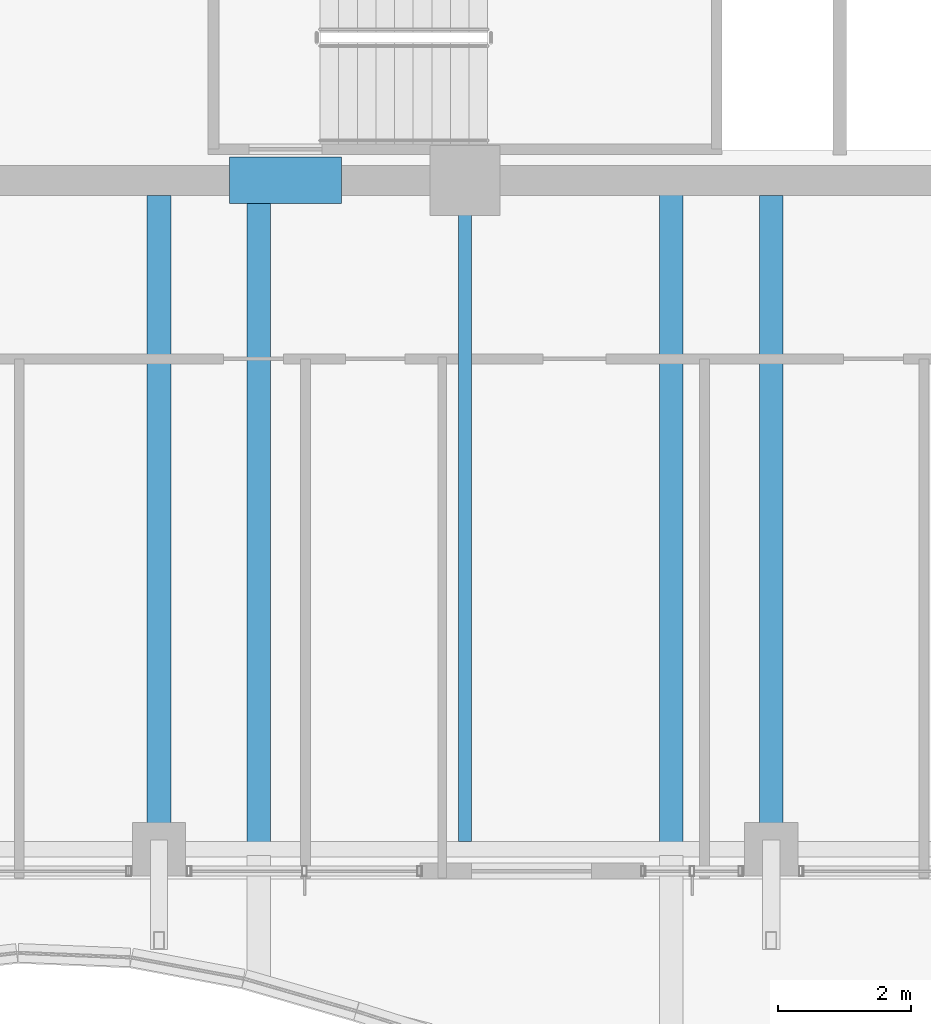
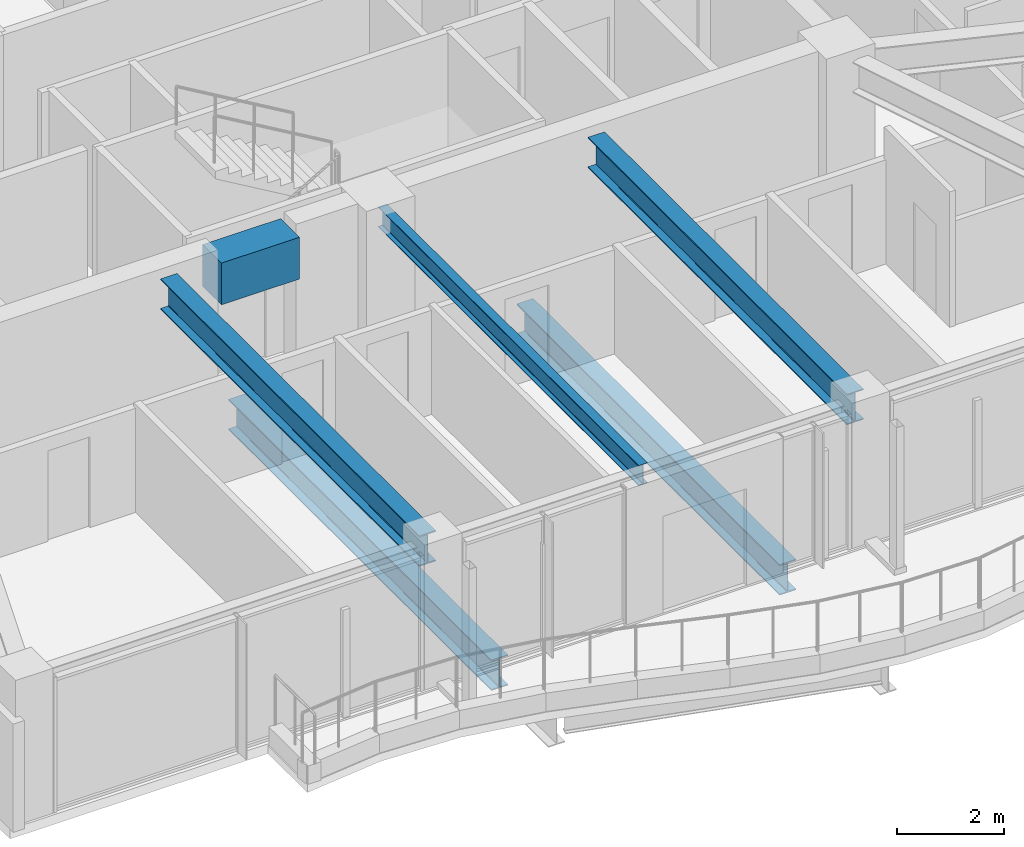
# One storey, part 7 of 38: 6 beams.
"""IFC4 building model written with IfcOpenShell, lengths in metres."""

from ifc_helpers import new_model, si_unit, direction, frame, origin, origin_2d, place, context, subcontext, project, spatial, rectangle, i_section, extrude, material, material_profile, profile_set, type_object, element, save


model = new_model("IFC4")

# Units and contexts
model_context = context("Model", 3, precision=1e-05, world=origin(), true_north=direction((0.0, 1.0)))
body_context = subcontext(model_context, "Body", "Model", "MODEL_VIEW")
ifc_project = project(units=[si_unit("LENGTHUNIT", "METRE"), si_unit("AREAUNIT", "SQUARE_METRE"), si_unit("VOLUMEUNIT", "CUBIC_METRE"), si_unit("PLANEANGLEUNIT", "RADIAN"), si_unit("MASSUNIT", "GRAM", prefix="KILO")], contexts=[model_context])

# Site, building, storey
site_placement = place(None, origin())
site = spatial("IfcSite", under=ifc_project, at=site_placement, CompositionType="ELEMENT")
building_placement = place(site_placement, origin())
building = spatial("IfcBuilding", under=site, at=building_placement, Name="Kolvaren Belvedere", CompositionType="ELEMENT")
storey_placement = place(building_placement, frame((0.0, 0.0, 213.0)))
storey = spatial("IfcBuildingStorey", under=building, at=storey_placement, Name="L62", CompositionType="ELEMENT", Elevation=213.0)

# Beams
ifc_material_1 = material(Name="Structural steel ASTM A992 Grade 50", Category="steel")
ifc_material_profile_1 = material_profile(ifc_material_1, i_section(OverallWidth=0.35498046875, OverallDepth=0.696044921875, WebThickness=0.015380859375, FlangeThickness=0.02490234375, FilletRadius=0.02197265625, at=origin_2d()), Name="W27X146")
ifc_profile_set_1 = profile_set([ifc_material_profile_1], Name="Structural steel ASTM A992 Grade 50")
beam_type_1 = type_object("IfcBeamType", Name="BM-GIRD-W27X146", PredefinedType="BEAM", material=ifc_profile_set_1)
for number, where, z_axis, x_axis, name in (
    (1, (-3.10009765625, -10.06494140625, -0.568115234375), (0.0, -1.0, 0.0), (1.0, 0.0, 0.0), "L62 Balcony Interior Back-Span Girder BAL-S-1"),
    (2, (3.10009765625, -10.06494140625, -0.568115234375), (0.0, -1.0, 0.0), (1.0, 0.0, 0.0), "L62 Balcony Interior Back-Span Girder BAL-S-2"),
):
    element("IfcBeam", number, at=place(storey_placement, frame(where, z_axis=z_axis, x_axis=x_axis)), inside=storey, type_object=beam_type_1, Name=name, PredefinedType="BEAM", context=body_context, shape_type="SweptSolid", body=[
        extrude(i_section(OverallWidth=0.35498046875, OverallDepth=0.696044921875, WebThickness=0.015380859375, FlangeThickness=0.02490234375, FilletRadius=0.02197265625, at=origin_2d()), origin(), (0.0, 0.0, 1.0), 9.7900390625),
    ])
for number, where, z_axis, x_axis, name in (
    (3, (4.60009765625, -10.125, 2.73193359375), (0.0, -1.0, 0.0), (1.0, 0.0, 0.0), "L62 South Radial Girder P"),
    (4, (-4.60009765625, -10.125, 2.73193359375), (0.0, -1.0, 0.0), (1.0, 0.0, 0.0), "L62 South Radial Girder M"),
):
    element("IfcBeam", number, at=place(storey_placement, frame(where, z_axis=z_axis, x_axis=x_axis)), inside=storey, type_object=beam_type_1, Name=name, PredefinedType="BEAM", context=body_context, shape_type="SweptSolid", body=[
        extrude(i_section(OverallWidth=0.35498046875, OverallDepth=0.696044921875, WebThickness=0.015380859375, FlangeThickness=0.02490234375, FilletRadius=0.02197265625, at=origin_2d()), origin(), (0.0, 0.0, 1.0), 9.64501953125),
    ])
ifc_material_2 = material(Name="Structural steel ASTM A992 Grade 50", Category="steel")
ifc_material_profile_2 = material_profile(ifc_material_2, i_section(OverallWidth=0.19091796875, OverallDepth=0.4599609375, WebThickness=0.010009765625, FlangeThickness=0.01611328125, FilletRadius=0.014892578125, at=origin_2d()), Name="W18X55")
ifc_profile_set_2 = profile_set([ifc_material_profile_2], Name="Structural steel ASTM A992 Grade 50")
beam_type_2 = type_object("IfcBeamType", Name="BM-JOIST-W18X55", PredefinedType="BEAM", material=ifc_profile_set_2)
beam_1_placement = place(storey_placement, frame((0.0, -10.125, 2.85009765625), z_axis=(0.0, -1.0, 0.0), x_axis=(1.0, 0.0, 0.0)))
element("IfcBeam", 5, at=beam_1_placement, inside=storey, type_object=beam_type_2, Name="L62 South Centre Floor Beam", PredefinedType="BEAM", context=body_context, shape_type="SweptSolid", body=[
    extrude(i_section(OverallWidth=0.19091796875, OverallDepth=0.4599609375, WebThickness=0.010009765625, FlangeThickness=0.01611328125, FilletRadius=0.014892578125, at=origin_2d()), origin(), (0.0, 0.0, 1.0), 9.71044921875),
])
ifc_material_3 = material(Name="Concrete C60/75", Category="concrete")
ifc_material_profile_3 = material_profile(ifc_material_3, rectangle(XDim=0.699951171875, YDim=0.949951171875, at=origin_2d()), Name="RC 700X950")
ifc_profile_set_3 = profile_set([ifc_material_profile_3], Name="Concrete C60/75")
beam_type_3 = type_object("IfcBeamType", Name="BM-LINT-950", PredefinedType="LINTEL", material=ifc_profile_set_3)
beam_2_placement = place(storey_placement, frame((-3.5400390625, -9.89990234375, 2.60498046875), z_axis=(1.0, 0.0, 0.0), x_axis=(0.0, 1.0, 0.0)))
element("IfcBeam", 6, at=beam_2_placement, inside=storey, type_object=beam_type_3, Name="L62 South Core Coupling Lintel", PredefinedType="LINTEL", context=body_context, shape_type="SweptSolid", body=[
    extrude(rectangle(XDim=0.699951171875, YDim=0.949951171875, at=origin_2d()), origin(), (0.0, 0.0, 1.0), 1.679931640625),
])

save(model, "model.ifc")
